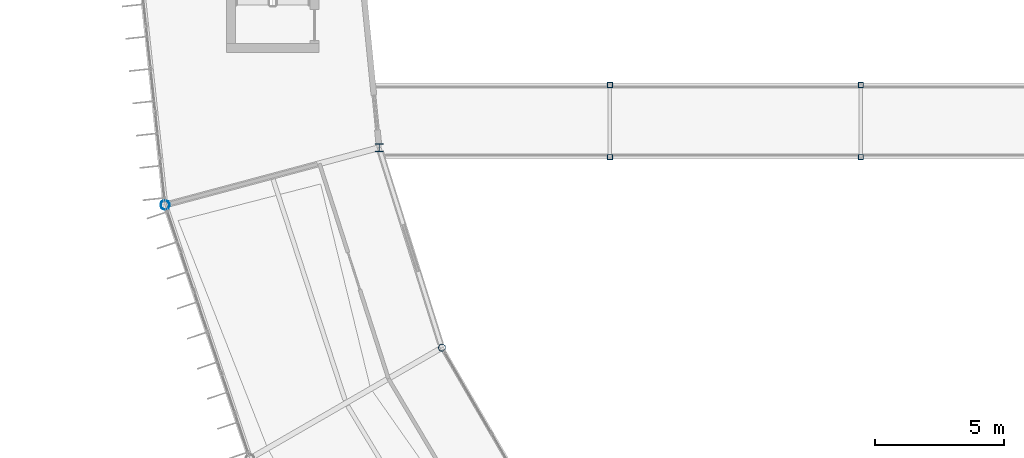
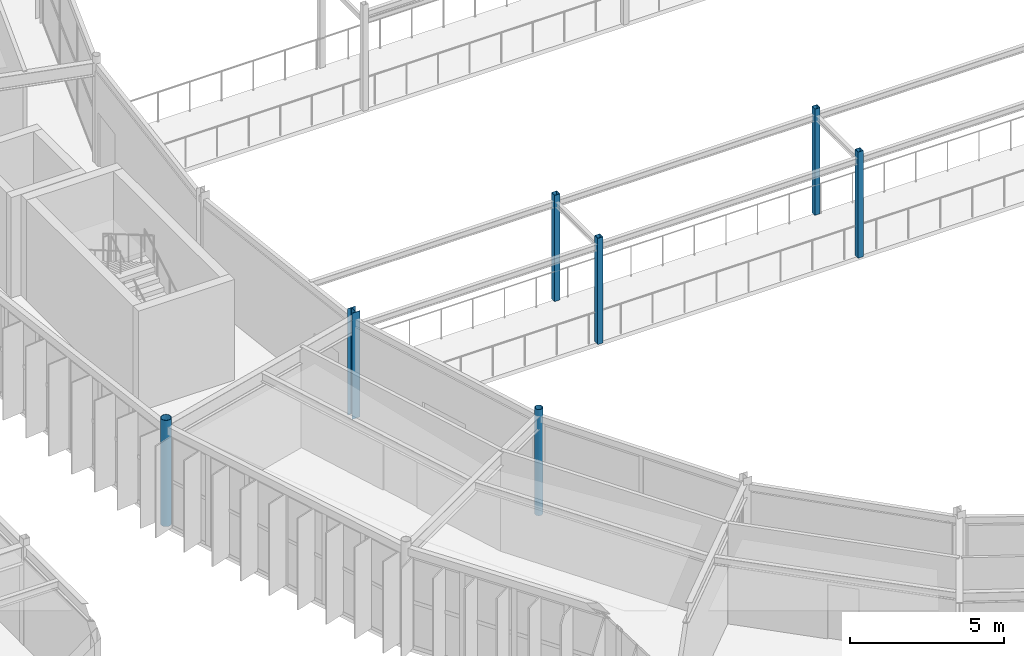
# One storey, part 5 of 148: 7 columns.
"""IFC4 building model written with IfcOpenShell, lengths in metres."""

from ifc_helpers import new_model, si_unit, direction, frame, origin, origin_2d, place, context, subcontext, project, spatial, hollow_rectangle, hollow_circle, i_section, extrude, material, material_profile, profile_set, type_object, element, save


model = new_model("IFC4")

# Units and contexts
model_context = context("Model", 3, precision=1e-05, world=origin(), true_north=direction((0.0, 1.0)))
body_context = subcontext(model_context, "Body", "Model", "MODEL_VIEW")
ifc_project = project(units=[si_unit("LENGTHUNIT", "METRE"), si_unit("AREAUNIT", "SQUARE_METRE"), si_unit("VOLUMEUNIT", "CUBIC_METRE"), si_unit("PLANEANGLEUNIT", "RADIAN"), si_unit("MASSUNIT", "GRAM", prefix="KILO")], contexts=[model_context])

# Site, building, storey
site_placement = place(None, origin())
site = spatial("IfcSite", under=ifc_project, at=site_placement, CompositionType="ELEMENT")
building_placement = place(site_placement, origin())
building = spatial("IfcBuilding", under=site, at=building_placement, Name="Karori Crest Natural Sciences Institute", CompositionType="ELEMENT")
storey_placement = place(building_placement, frame((0.0, 0.0, 4.89990234375)))
storey = spatial("IfcBuildingStorey", under=building, at=storey_placement, Name="L01", CompositionType="ELEMENT", Elevation=4.89990234375)

# Columns
ifc_material_1 = material(Name="Hollow structural steel AS/NZS 1163 Grade C350", Category="steel")
ifc_material_profile_1 = material_profile(ifc_material_1, hollow_rectangle(XDim=0.199951171875, YDim=0.199951171875, WallThickness=0.010009765625, at=origin_2d()), Name="SHS200x200x10")
ifc_profile_set_1 = profile_set([ifc_material_profile_1], Name="Hollow structural steel AS/NZS 1163 Grade C350")
column_type_1 = type_object("IfcColumnType", Name="CT-13-EL", PredefinedType="COLUMN", material=ifc_profile_set_1)
for number, where, z_axis, x_axis, name in (
    (1, (51.7900390625, 41.199951171875, 0.0), (0.0, 0.0, 1.0), (1.0, 0.0, 0.0), "Column C-0399"),
    (2, (51.7900390625, 44.0, 0.0), (0.0, 0.0, 1.0), (1.0, 0.0, 0.0), "Column C-0404"),
    (3, (61.530029296875, 41.199951171875, 0.0), (0.0, 0.0, 1.0), (1.0, 0.0, 0.0), "Column C-0409"),
    (4, (61.530029296875, 44.0, 0.0), (0.0, 0.0, 1.0), (1.0, 0.0, 0.0), "Column C-0414"),
):
    element("IfcColumn", number, at=place(storey_placement, frame(where, z_axis=z_axis, x_axis=x_axis)), inside=storey, type_object=column_type_1, Name=name, PredefinedType="COLUMN", context=body_context, shape_type="SweptSolid", body=[
        extrude(hollow_rectangle(XDim=0.199951171875, YDim=0.199951171875, WallThickness=0.010009765625, at=origin_2d()), origin(), (0.0, 0.0, 1.0), 4.2001953125),
    ])
ifc_material_profile_2 = material_profile(ifc_material_1, hollow_circle(Radius=0.177734375, WallThickness=0.0126953125, at=origin_2d()), Name="CHS355.6x12.7")
ifc_profile_set_2 = profile_set([ifc_material_profile_2], Name="Hollow structural steel AS/NZS 1163 Grade C350")
column_type_2 = type_object("IfcColumnType", Name="CT-14", PredefinedType="COLUMN", material=ifc_profile_set_2)
column_1_placement = place(storey_placement, frame((34.5244140625, 39.340087890625, 0.0), z_axis=(0.0, 0.0, 1.0), x_axis=(1.0, 0.0, 0.0)))
element("IfcColumn", 5, at=column_1_placement, inside=storey, type_object=column_type_2, Name="Column C-0225", PredefinedType="COLUMN", context=body_context, shape_type="SweptSolid", body=[
    extrude(hollow_circle(Radius=0.177734375, WallThickness=0.0126953125, at=origin_2d()), origin(), (0.0, 0.0, 1.0), 4.2001953125),
])
ifc_material_profile_3 = material_profile(ifc_material_1, hollow_circle(Radius=0.136474609375, WallThickness=0.00927734375, at=origin_2d()), Name="CHS273.0x9.3")
ifc_profile_set_3 = profile_set([ifc_material_profile_3], Name="Hollow structural steel AS/NZS 1163 Grade C350")
column_type_3 = type_object("IfcColumnType", Name="CT-16", PredefinedType="COLUMN", material=ifc_profile_set_3)
column_2_placement = place(storey_placement, frame((45.26904296875, 33.800048828125, 0.0), z_axis=(0.0, 0.0, 1.0), x_axis=(1.0, 0.0, 0.0)))
element("IfcColumn", 6, at=column_2_placement, inside=storey, type_object=column_type_3, Name="Column C-0242", PredefinedType="COLUMN", context=body_context, shape_type="SweptSolid", body=[
    extrude(hollow_circle(Radius=0.136474609375, WallThickness=0.00927734375, at=origin_2d()), origin(), (0.0, 0.0, 1.0), 4.2001953125),
])
ifc_material_2 = material(Name="Structural steel AS/NZS 3679.1 Grade 350", Category="steel")
ifc_material_profile_4 = material_profile(ifc_material_2, i_section(OverallWidth=0.304931640625, OverallDepth=0.30810546875, WebThickness=0.010009765625, FlangeThickness=0.015380859375, FilletRadius=0.01708984375, at=origin_2d()), Name="310UC96.8")
ifc_profile_set_4 = profile_set([ifc_material_profile_4], Name="Structural steel AS/NZS 3679.1 Grade 350")
column_type_4 = type_object("IfcColumnType", Name="CT-25", PredefinedType="COLUMN", material=ifc_profile_set_4)
column_3_placement = place(storey_placement, frame((42.831298828125, 41.56591796875, 0.0), z_axis=(0.0, 0.0, 1.0), x_axis=(1.0, 0.0, 0.0)))
element("IfcColumn", 7, at=column_3_placement, inside=storey, type_object=column_type_4, Name="Column C-0226", PredefinedType="COLUMN", context=body_context, shape_type="SweptSolid", body=[
    extrude(i_section(OverallWidth=0.304931640625, OverallDepth=0.30810546875, WebThickness=0.010009765625, FlangeThickness=0.015380859375, FilletRadius=0.01708984375, at=origin_2d()), origin(), (0.0, 0.0, 1.0), 4.2001953125),
])

save(model, "model.ifc")
